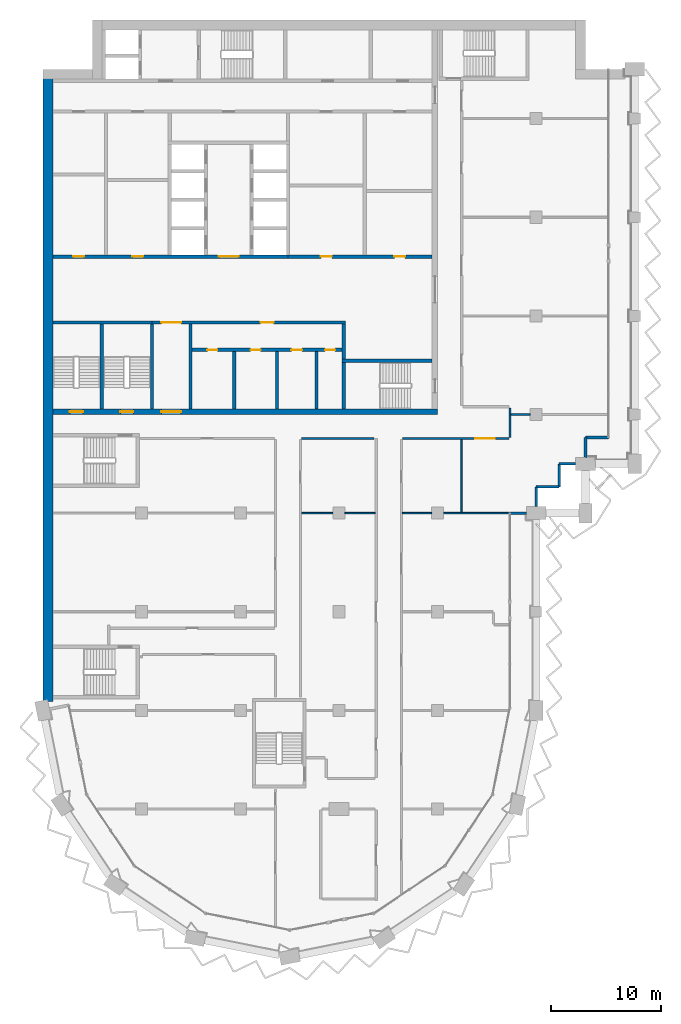
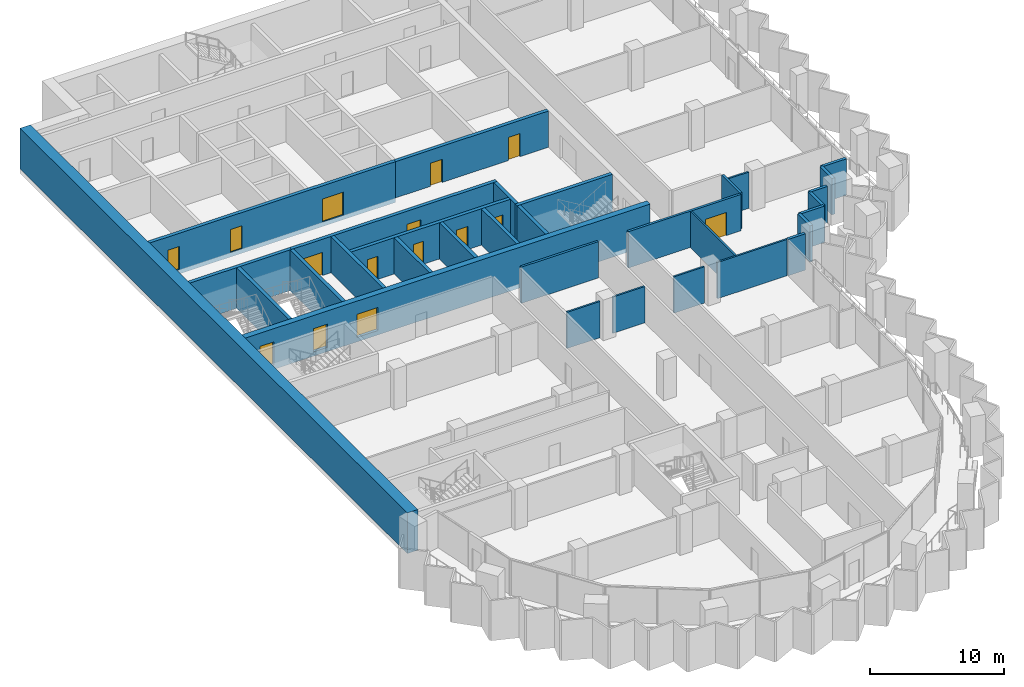
# One storey, part 9 of 17: 32 walls, 15 doors, 15 openings.
"""IFC4 building model written with IfcOpenShell, lengths in metres."""

import ifcopenshell
import ifcopenshell.guid

model = None  # the IFC model being written
_history = None  # IfcOwnerHistory: only IFC2X3 demands one
_inside = {}  # id of a spatial element -> (the spatial element, [elements in it])
_under = {}  # id of a project, library or spatial element -> (it, [spatial elements below it])
_declared = {}  # id of a project -> (the project, [libraries it declares])
_typed = {}  # id of a type object -> (the type object, [elements of that type])
_made_of = {}  # id of a material, layer set ... -> (it, [elements and type objects made of it])


def new_model(schema):
    """Start an empty IFC model of exactly this schema.

    Asked for "IFC4X3", IfcOpenShell would pick the latest addendum, in which some entities
    have other attributes; the version numbers below select the first issue.
    IFC2X3 requires an IfcOwnerHistory on every rooted entity: one is made here for all.
    """
    global model, _history
    if schema == "IFC4X3":
        model = ifcopenshell.file(schema_version=(4, 3, 0, 0))
    else:
        model = ifcopenshell.file(schema=schema)
    _inside.clear()
    _under.clear()
    _declared.clear()
    _typed.clear()
    _made_of.clear()
    _history = None
    if model.schema == "IFC2X3":
        org = make("IfcOrganization", Name="unknown")
        user = make(
            "IfcPersonAndOrganization",
            ThePerson=make("IfcPerson", FamilyName="unknown"),
            TheOrganization=org,
        )
        app = make(
            "IfcApplication",
            ApplicationDeveloper=org,
            Version="unknown",
            ApplicationFullName="unknown",
            ApplicationIdentifier="unknown",
        )
        _history = make(
            "IfcOwnerHistory",
            OwningUser=user,
            OwningApplication=app,
            ChangeAction="ADDED",
            CreationDate=0,
        )
    return model


def make(cls, **values):
    """One entity of the class cls with the attributes given. An attribute that is None is left unset."""
    return model.create_entity(
        cls, **{name: value for name, value in values.items() if value is not None}
    )


def rooted(cls, **values):
    """An entity with a GlobalId (a new one), such as an element, a storey or a relation."""
    return make(cls, GlobalId=ifcopenshell.guid.new(), OwnerHistory=_history, **values)


def si_unit(unit_type, name, prefix=None):
    """IfcSIUnit, for example si_unit("LENGTHUNIT", "METRE", prefix="MILLI")."""
    return make("IfcSIUnit", UnitType=unit_type, Prefix=prefix, Name=name)


def assignment(units):
    """IfcUnitAssignment: the units of a project."""
    return None if units is None else make("IfcUnitAssignment", Units=units)


def point(xyz):
    """IfcCartesianPoint."""
    return None if xyz is None else make("IfcCartesianPoint", Coordinates=xyz)


def direction(xyz):
    """IfcDirection."""
    return None if xyz is None else make("IfcDirection", DirectionRatios=xyz)


def frame(location, z_axis=None, x_axis=None):
    """IfcAxis2Placement3D, a coordinate frame: its origin and axes. An axis left out is left unset."""
    return make(
        "IfcAxis2Placement3D",
        Location=point(location),
        Axis=direction(z_axis),
        RefDirection=direction(x_axis),
    )


def frame_2d(location, x_axis=None):
    """IfcAxis2Placement2D, a coordinate frame in the plane: its origin and x axis."""
    return make(
        "IfcAxis2Placement2D", Location=point(location), RefDirection=direction(x_axis)
    )


def origin():
    """The frame at (0, 0, 0) with its axes left unset."""
    return frame((0.0, 0.0, 0.0))


def place(relative_to, where):
    """IfcLocalPlacement: puts the frame where relative to a parent placement (None: the world)."""
    return make(
        "IfcLocalPlacement", PlacementRelTo=relative_to, RelativePlacement=where
    )


def context(
    kind, dimensions, precision=None, world=None, true_north=None, identifier=None
):
    """IfcGeometricRepresentationContext, for example the 3D "Model" context."""
    return make(
        "IfcGeometricRepresentationContext",
        ContextIdentifier=identifier,
        ContextType=kind,
        CoordinateSpaceDimension=dimensions,
        Precision=precision,
        WorldCoordinateSystem=world,
        TrueNorth=true_north,
    )


def subcontext(parent, identifier, kind, view, scale=None):
    """IfcGeometricRepresentationSubContext, for example "Body" below "Model"."""
    return make(
        "IfcGeometricRepresentationSubContext",
        ContextIdentifier=identifier,
        ContextType=kind,
        ParentContext=parent,
        TargetScale=scale,
        TargetView=view,
    )


def project(units=None, contexts=None):
    """IfcProject with its units and contexts."""
    return rooted(
        "IfcProject",
        Name="project",
        RepresentationContexts=contexts,
        UnitsInContext=assignment(units),
    )


def spatial(cls, under=None, at=None, **own):
    """A site, building, storey or space (cls), placed at a placement, below another one or the project."""
    s = rooted(cls, ObjectPlacement=at, **own)
    if under is not None:
        _under.setdefault(under.id(), (under, []))[1].append(s)
    return s


def profile(cls, at=None, kind="AREA", **sizes):
    """A parametric profile (cls). Its sizes go by their IFC names, for example OverallWidth=200.0."""
    return make(cls, ProfileType=kind, Position=at, **sizes)


def rectangle(**sizes):
    """IfcRectangleProfileDef."""
    return profile("IfcRectangleProfileDef", **sizes)


def extrude(swept, where, along, depth):
    """IfcExtrudedAreaSolid: the profile swept, set in the frame where, extruded along a direction by depth."""
    return make(
        "IfcExtrudedAreaSolid",
        SweptArea=swept,
        Position=where,
        ExtrudedDirection=direction(along),
        Depth=depth,
    )


def shape(context_of_items, identifier, shape_type, items):
    """IfcShapeRepresentation: the items that make up one representation, for example the "Body"."""
    return make(
        "IfcShapeRepresentation",
        ContextOfItems=context_of_items,
        RepresentationIdentifier=identifier,
        RepresentationType=shape_type,
        Items=items,
    )


def material(Name=None, Category=None):
    """IfcMaterial."""
    return make("IfcMaterial", Name=Name, Category=Category)


def layer(
    of_material, thickness, ventilated=None, Name=None, Category=None, Priority=None
):
    """IfcMaterialLayer: one layer of a wall or slab, of a material (None: an air gap)."""
    return make(
        "IfcMaterialLayer",
        Material=of_material,
        LayerThickness=thickness,
        IsVentilated=ventilated,
        Name=Name,
        Category=Category,
        Priority=Priority,
    )


def layer_set(layers, Name=None):
    """IfcMaterialLayerSet."""
    return make("IfcMaterialLayerSet", MaterialLayers=layers, LayerSetName=Name)


def made_of(thing, what):
    """Note that an element or type object is made of a material, layer set ...; save() writes the relation."""
    if what is not None:
        _made_of.setdefault(what.id(), (what, []))[1].append(thing)
    return thing


def type_object(cls, material=None, **own):
    """A type object (cls), such as IfcWallType, which elements share."""
    return made_of(rooted(cls, **own), material)


def element(
    cls,
    number,
    at=None,
    inside=None,
    cuts=None,
    type_object=None,
    material=None,
    context=None,
    identifier="Body",
    shape_type=None,
    held_by="IfcProductDefinitionShape",
    body=None,
    shapes=None,
    **own,
):
    """One element of the class cls, such as IfcWall. Its Tag is "e" and its number.

    at: its placement. inside: the storey or other place that contains it. cuts: it is an
    opening in that element (IfcRelVoidsElement). A single representation is given by context,
    identifier, shape_type and body (its items); several are given by shapes. held_by: the class
    of the entity that holds the representations. save() writes the other relations.
    """
    e = rooted(cls, Tag="e%d" % number, ObjectPlacement=at, **own)
    if body is not None:
        shapes = [shape(context, identifier, shape_type, body)]
    if shapes is not None:
        e.Representation = make(held_by, Representations=shapes)
    if inside is not None:
        _inside.setdefault(inside.id(), (inside, []))[1].append(e)
    if cuts is not None:
        rooted(
            "IfcRelVoidsElement", RelatingBuildingElement=cuts, RelatedOpeningElement=e
        )
    if type_object is not None:
        _typed.setdefault(type_object.id(), (type_object, []))[1].append(e)
    return made_of(e, material)


def fill(opening, filler):
    """IfcRelFillsElement: the door or window that sits in an opening."""
    return rooted(
        "IfcRelFillsElement",
        RelatingOpeningElement=opening,
        RelatedBuildingElement=filler,
    )


def aggregate(whole, parts):
    """IfcRelAggregates: a whole, such as a stair, and the parts it consists of."""
    return rooted("IfcRelAggregates", RelatingObject=whole, RelatedObjects=parts)


def save(model, path):
    """Write the relations noted so far, then the file.

    IfcRelAggregates (storeys below a building ...), IfcRelContainedInSpatialStructure (elements
    in a storey), IfcRelDefinesByType, IfcRelAssociatesMaterial and IfcRelDeclares: one each for
    every whole, place, type object, material and project.
    """
    for whole, parts in _under.values():
        aggregate(whole, parts)
    for where, things in _inside.values():
        rooted(
            "IfcRelContainedInSpatialStructure",
            RelatedElements=things,
            RelatingStructure=where,
        )
    for kind, things in _typed.values():
        rooted("IfcRelDefinesByType", RelatedObjects=things, RelatingType=kind)
    for what, things in _made_of.values():
        rooted("IfcRelAssociatesMaterial", RelatedObjects=things, RelatingMaterial=what)
    for by, libraries in _declared.values():
        rooted("IfcRelDeclares", RelatingContext=by, RelatedDefinitions=libraries)
    model.write(path)


model = new_model("IFC4")

# Units and contexts
model_context = context("Model", 3, precision=1e-05, world=origin(), true_north=direction((0.0, 1.0)))
body_context = subcontext(model_context, "Body", "Model", "MODEL_VIEW")
ifc_project = project(units=[si_unit("LENGTHUNIT", "METRE"), si_unit("AREAUNIT", "SQUARE_METRE"), si_unit("VOLUMEUNIT", "CUBIC_METRE"), si_unit("PLANEANGLEUNIT", "RADIAN"), si_unit("MASSUNIT", "GRAM", prefix="KILO")], contexts=[model_context])

# Site, building, storey
site_placement = place(None, origin())
site = spatial("IfcSite", under=ifc_project, at=site_placement, CompositionType="ELEMENT")
building_placement = place(site_placement, origin())
building = spatial("IfcBuilding", under=site, at=building_placement, Name="Hunhe Ridgeline Campus", CompositionType="ELEMENT")
storey_placement = place(building_placement, frame((0.0, 0.0, 205.0)))
storey = spatial("IfcBuildingStorey", under=building, at=storey_placement, Name="L52", CompositionType="ELEMENT", Elevation=205.0)

# Wall, openings, doors
ifc_material_1 = material(Name="Masonry concrete blockwork", Category="masonry")
ifc_layer_1 = layer(ifc_material_1, 0.300048828125)
ifc_layer_set_1 = layer_set([ifc_layer_1], Name="Core room partition 300 concrete block")
wall_type_1 = type_object("IfcWallType", Name="Core room partition 300 concrete block", PredefinedType="PARTITIONING", material=ifc_layer_set_1)
wall_1_placement = place(storey_placement, frame((13.60009765625, 68.89990234375, 0.0), z_axis=(0.0, 0.0, 1.0), x_axis=(1.0, 0.0, 0.0)))
wall_1 = element("IfcWall", 1, at=wall_1_placement, inside=storey, type_object=wall_type_1, Name="L52 core partition 9", PredefinedType="PARTITIONING", context=body_context, shape_type="SweptSolid", body=[
    extrude(rectangle(XDim=13.699951171875, YDim=0.300048828125, at=frame_2d((6.85009765625, 0.0))), origin(), (0.0, 0.0, 1.0), 3.300048828125),
])
opening_1_placement = place(wall_1_placement, frame((1.39990234375, 0.0, 0.0)))
opening_1 = element("IfcOpeningElement", 2, at=opening_1_placement, cuts=wall_1, Name="Opening CD8", PredefinedType="OPENING", context=body_context, shape_type="SweptSolid", body=[
    extrude(rectangle(XDim=0.89990234375, YDim=2.10009765625, at=frame_2d((0.449951171875, 1.050048828125))), frame((0.0, 0.14990234375, 0.0), z_axis=(0.0, -1.0, 0.0), x_axis=(1.0, 0.0, 0.0)), (0.0, 0.0, 1.0), 0.300048828125),
])
opening_2_placement = place(wall_1_placement, frame((5.35009765625, 0.0, 0.0)))
opening_2 = element("IfcOpeningElement", 3, at=opening_2_placement, cuts=wall_1, Name="Opening CD9", PredefinedType="OPENING", context=body_context, shape_type="SweptSolid", body=[
    extrude(rectangle(XDim=0.89990234375, YDim=2.10009765625, at=frame_2d((0.449951171875, 1.050048828125))), frame((0.0, 0.14990234375, 0.0), z_axis=(0.0, -1.0, 0.0), x_axis=(1.0, 0.0, 0.0)), (0.0, 0.0, 1.0), 0.300048828125),
])
opening_3_placement = place(wall_1_placement, frame((9.050048828125, 0.0, 0.0)))
opening_3 = element("IfcOpeningElement", 4, at=opening_3_placement, cuts=wall_1, Name="Opening CD10", PredefinedType="OPENING", context=body_context, shape_type="SweptSolid", body=[
    extrude(rectangle(XDim=1.0, YDim=2.10009765625, at=frame_2d((0.5, 1.050048828125))), frame((0.0, 0.14990234375, 0.0), z_axis=(0.0, -1.0, 0.0), x_axis=(1.0, 0.0, 0.0)), (0.0, 0.0, 1.0), 0.300048828125),
])
opening_4_placement = place(wall_1_placement, frame((12.14990234375, 0.0, 0.0)))
opening_4 = element("IfcOpeningElement", 5, at=opening_4_placement, cuts=wall_1, Name="Opening CD11", PredefinedType="OPENING", context=body_context, shape_type="SweptSolid", body=[
    extrude(rectangle(XDim=0.89990234375, YDim=2.10009765625, at=frame_2d((0.449951171875, 1.050048828125))), frame((0.0, 0.14990234375, 0.0), z_axis=(0.0, -1.0, 0.0), x_axis=(1.0, 0.0, 0.0)), (0.0, 0.0, 1.0), 0.300048828125),
])
ifc_material_2 = material(Name="Solid core timber door leaf", Category="wood")
door_type_1 = type_object("IfcDoorType", Name="Timber door 1000x2100", OperationType="SINGLE_SWING_LEFT", PredefinedType="DOOR", material=ifc_material_2)
door_1_placement = place(opening_3_placement, frame((1.0, 0.0, 0.0), z_axis=(0.0, 0.0, 1.0), x_axis=(-1.0, 0.0, 0.0)))
door_1 = element("IfcDoor", 6, at=door_1_placement, inside=storey, type_object=door_type_1, Name="L52 door WC3", OperationType="SINGLE_SWING_LEFT", OverallHeight=2.10009765625, OverallWidth=1.0, PredefinedType="DOOR", context=body_context, shape_type="SweptSolid", body=[
    extrude(rectangle(XDim=1.0, YDim=2.10009765625, at=frame_2d((0.5, 1.050048828125))), frame((0.0, 0.02490234375, 0.0), z_axis=(0.0, -1.0, 0.0), x_axis=(1.0, 0.0, 0.0)), (0.0, 0.0, 1.0), 0.050048828125),
])
fill(opening_3, door_1)
door_type_2 = type_object("IfcDoorType", Name="Timber door 900x2100", OperationType="SINGLE_SWING_LEFT", PredefinedType="DOOR", material=ifc_material_2)
door_2_placement = place(opening_1_placement, frame((0.89990234375, 0.0, 0.0), z_axis=(0.0, 0.0, 1.0), x_axis=(-1.0, 0.0, 0.0)))
door_2 = element("IfcDoor", 7, at=door_2_placement, inside=storey, type_object=door_type_2, Name="L52 door WC1", OperationType="SINGLE_SWING_LEFT", OverallHeight=2.10009765625, OverallWidth=0.89990234375, PredefinedType="DOOR", context=body_context, shape_type="SweptSolid", body=[
    extrude(rectangle(XDim=0.89990234375, YDim=2.10009765625, at=frame_2d((0.449951171875, 1.050048828125))), frame((0.0, 0.02490234375, 0.0), z_axis=(0.0, -1.0, 0.0), x_axis=(1.0, 0.0, 0.0)), (0.0, 0.0, 1.0), 0.050048828125),
])
fill(opening_1, door_2)
door_3_placement = place(opening_2_placement, frame((0.89990234375, 0.0, 0.0), z_axis=(0.0, 0.0, 1.0), x_axis=(-1.0, 0.0, 0.0)))
door_3 = element("IfcDoor", 8, at=door_3_placement, inside=storey, type_object=door_type_2, Name="L52 door WC2", OperationType="SINGLE_SWING_RIGHT", OverallHeight=2.10009765625, OverallWidth=0.89990234375, PredefinedType="DOOR", context=body_context, shape_type="SweptSolid", body=[
    extrude(rectangle(XDim=0.89990234375, YDim=2.10009765625, at=frame_2d((0.449951171875, 1.050048828125))), frame((0.0, 0.02490234375, 0.0), z_axis=(0.0, -1.0, 0.0), x_axis=(1.0, 0.0, 0.0)), (0.0, 0.0, 1.0), 0.050048828125),
])
fill(opening_2, door_3)
door_4_placement = place(opening_4_placement, frame((0.89990234375, 0.0, 0.0), z_axis=(0.0, 0.0, 1.0), x_axis=(-1.0, 0.0, 0.0)))
door_4 = element("IfcDoor", 9, at=door_4_placement, inside=storey, type_object=door_type_2, Name="L52 door WC4", OperationType="SINGLE_SWING_RIGHT", OverallHeight=2.10009765625, OverallWidth=0.89990234375, PredefinedType="DOOR", context=body_context, shape_type="SweptSolid", body=[
    extrude(rectangle(XDim=0.89990234375, YDim=2.10009765625, at=frame_2d((0.449951171875, 1.050048828125))), frame((0.0, 0.02490234375, 0.0), z_axis=(0.0, -1.0, 0.0), x_axis=(1.0, 0.0, 0.0)), (0.0, 0.0, 1.0), 0.050048828125),
])
fill(opening_4, door_4)

wall_2_placement = place(storey_placement, frame((9.949951171875, 71.39990234375, 0.0), z_axis=(0.0, 0.0, 1.0), x_axis=(1.0, 0.0, 0.0)))
wall_2 = element("IfcWall", 10, at=wall_2_placement, inside=storey, type_object=wall_type_1, Name="L52 core partition 11", PredefinedType="PARTITIONING", context=body_context, shape_type="SweptSolid", body=[
    extrude(rectangle(XDim=17.650146484375, YDim=0.300048828125, at=frame_2d((8.8251953125, 0.0))), origin(), (0.0, 0.0, 1.0), 3.300048828125),
])
opening_5_placement = place(wall_2_placement, frame((0.85009765625, 0.0, 0.0)))
opening_5 = element("IfcOpeningElement", 11, at=opening_5_placement, cuts=wall_2, Name="Opening CD7", PredefinedType="OPENING", context=body_context, shape_type="SweptSolid", body=[
    extrude(rectangle(XDim=1.800048828125, YDim=2.10009765625, at=frame_2d((0.89990234375, 1.050048828125))), frame((0.0, 0.14990234375, 0.0), z_axis=(0.0, -1.0, 0.0), x_axis=(1.0, 0.0, 0.0)), (0.0, 0.0, 1.0), 0.300048828125),
])
opening_6_placement = place(wall_2_placement, frame((9.89990234375, 0.0, 0.0)))
opening_6 = element("IfcOpeningElement", 12, at=opening_6_placement, cuts=wall_2, Name="Opening CD12", PredefinedType="OPENING", context=body_context, shape_type="SweptSolid", body=[
    extrude(rectangle(XDim=1.199951171875, YDim=2.10009765625, at=frame_2d((0.60009765625, 1.050048828125))), frame((0.0, 0.14990234375, 0.0), z_axis=(0.0, -1.0, 0.0), x_axis=(1.0, 0.0, 0.0)), (0.0, 0.0, 1.0), 0.300048828125),
])
ifc_material_3 = material(Name="Anodised aluminium and glass", Category="aluminium")
door_type_3 = type_object("IfcDoorType", Name="Glazed double door 1800x2100", OperationType="DOUBLE_DOOR_SINGLE_SWING", PredefinedType="DOOR", material=ifc_material_3)
door_5_placement = place(opening_5_placement, origin())
door_5 = element("IfcDoor", 13, at=door_5_placement, inside=storey, type_object=door_type_3, Name="L52 door VEST-HALL", OperationType="DOUBLE_DOOR_SINGLE_SWING", OverallHeight=2.10009765625, OverallWidth=1.800048828125, PredefinedType="DOOR", context=body_context, shape_type="SweptSolid", body=[
    extrude(rectangle(XDim=1.800048828125, YDim=2.10009765625, at=frame_2d((0.89990234375, 1.050048828125))), frame((0.0, 0.02490234375, 0.0), z_axis=(0.0, -1.0, 0.0), x_axis=(1.0, 0.0, 0.0)), (0.0, 0.0, 1.0), 0.050048828125),
])
fill(opening_5, door_5)
door_type_4 = type_object("IfcDoorType", Name="Timber door 1200x2100", OperationType="SINGLE_SWING_LEFT", PredefinedType="DOOR", material=ifc_material_2)
door_6_placement = place(opening_6_placement, origin())
door_6 = element("IfcDoor", 14, at=door_6_placement, inside=storey, type_object=door_type_4, Name="L52 door WCL2-HALL", OperationType="SINGLE_SWING_RIGHT", OverallHeight=2.10009765625, OverallWidth=1.199951171875, PredefinedType="DOOR", context=body_context, shape_type="SweptSolid", body=[
    extrude(rectangle(XDim=1.199951171875, YDim=2.10009765625, at=frame_2d((0.60009765625, 1.050048828125))), frame((0.0, 0.02490234375, 0.0), z_axis=(0.0, -1.0, 0.0), x_axis=(1.0, 0.0, 0.0)), (0.0, 0.0, 1.0), 0.050048828125),
])
fill(opening_6, door_6)

wall_3_placement = place(storey_placement, frame((22.35009765625, 77.39990234375, 0.0), z_axis=(0.0, 0.0, 1.0), x_axis=(1.0, 0.0, 0.0)))
wall_3 = element("IfcWall", 15, at=wall_3_placement, inside=storey, type_object=wall_type_1, Name="L52 core partition 13", PredefinedType="PARTITIONING", context=body_context, shape_type="SweptSolid", body=[
    extrude(rectangle(XDim=13.14990234375, YDim=0.300048828125, at=frame_2d((6.574951171875, 0.0))), origin(), (0.0, 0.0, 1.0), 3.300048828125),
])
opening_7_placement = place(wall_3_placement, frame((3.0, 0.0, 0.0)))
opening_7 = element("IfcOpeningElement", 16, at=opening_7_placement, cuts=wall_3, Name="Opening CD32", PredefinedType="OPENING", context=body_context, shape_type="SweptSolid", body=[
    extrude(rectangle(XDim=1.0, YDim=2.10009765625, at=frame_2d((0.5, 1.050048828125))), frame((0.0, 0.14990234375, 0.0), z_axis=(0.0, -1.0, 0.0), x_axis=(1.0, 0.0, 0.0)), (0.0, 0.0, 1.0), 0.300048828125),
])
opening_8_placement = place(wall_3_placement, frame((9.699951171875, 0.0, 0.0)))
opening_8 = element("IfcOpeningElement", 17, at=opening_8_placement, cuts=wall_3, Name="Opening CD42", PredefinedType="OPENING", context=body_context, shape_type="SweptSolid", body=[
    extrude(rectangle(XDim=1.0, YDim=2.10009765625, at=frame_2d((0.5, 1.050048828125))), frame((0.0, 0.14990234375, 0.0), z_axis=(0.0, -1.0, 0.0), x_axis=(1.0, 0.0, 0.0)), (0.0, 0.0, 1.0), 0.300048828125),
])
door_7_placement = place(opening_7_placement, origin())
door_7 = element("IfcDoor", 18, at=door_7_placement, inside=storey, type_object=door_type_1, Name="L52 door ES0", OperationType="SINGLE_SWING_RIGHT", OverallHeight=2.10009765625, OverallWidth=1.0, PredefinedType="DOOR", context=body_context, shape_type="SweptSolid", body=[
    extrude(rectangle(XDim=1.0, YDim=2.10009765625, at=frame_2d((0.5, 1.050048828125))), frame((0.0, 0.02490234375, 0.0), z_axis=(0.0, -1.0, 0.0), x_axis=(1.0, 0.0, 0.0)), (0.0, 0.0, 1.0), 0.050048828125),
])
fill(opening_7, door_7)
door_8_placement = place(opening_8_placement, origin())
door_8 = element("IfcDoor", 19, at=door_8_placement, inside=storey, type_object=door_type_1, Name="L52 door ES2", OperationType="SINGLE_SWING_RIGHT", OverallHeight=2.10009765625, OverallWidth=1.0, PredefinedType="DOOR", context=body_context, shape_type="SweptSolid", body=[
    extrude(rectangle(XDim=1.0, YDim=2.10009765625, at=frame_2d((0.5, 1.050048828125))), frame((0.0, 0.02490234375, 0.0), z_axis=(0.0, -1.0, 0.0), x_axis=(1.0, 0.0, 0.0)), (0.0, 0.0, 1.0), 0.050048828125),
])
fill(opening_8, door_8)

# Walls
wall_4_placement = place(storey_placement, frame((13.449951171875, 63.5, 0.0), z_axis=(0.0, 0.0, 1.0), x_axis=(0.0, 1.0, 0.0)))
element("IfcWall", 20, at=wall_4_placement, inside=storey, type_object=wall_type_1, Name="L52 core partition 38", PredefinedType="PARTITIONING", context=body_context, shape_type="SweptSolid", body=[
    extrude(rectangle(XDim=7.75, YDim=0.300048828125, at=frame_2d((3.875, 0.0))), origin(), (0.0, 0.0, 1.0), 3.300048828125),
])
for number, where, z_axis, x_axis, name in (
    (21, (17.449951171875, 63.5, 0.0), (0.0, 0.0, 1.0), (0.0, 1.0, 0.0), "L52 core partition 41"),
    (22, (21.35009765625, 63.5, 0.0), (0.0, 0.0, 1.0), (0.0, 1.0, 0.0), "L52 core partition 44"),
    (23, (24.949951171875, 63.5, 0.0), (0.0, 0.0, 1.0), (0.0, 1.0, 0.0), "L52 core partition 49"),
):
    element("IfcWall", number, at=place(storey_placement, frame(where, z_axis=z_axis, x_axis=x_axis)), inside=storey, type_object=wall_type_1, Name=name, PredefinedType="PARTITIONING", context=body_context, shape_type="SweptSolid", body=[
        extrude(rectangle(XDim=5.25, YDim=0.300048828125, at=frame_2d((2.625, 0.0))), origin(), (0.0, 0.0, 1.0), 3.300048828125),
    ])
wall_5_placement = place(storey_placement, frame((27.449951171875, 68.050048828125, 0.0), z_axis=(0.0, 0.0, 1.0), x_axis=(0.0, 1.0, 0.0)))
element("IfcWall", 24, at=wall_5_placement, inside=storey, type_object=wall_type_1, Name="L52 core partition 51", PredefinedType="PARTITIONING", context=body_context, shape_type="SweptSolid", body=[
    extrude(rectangle(XDim=3.199951171875, YDim=0.300048828125, at=frame_2d((1.60009765625, 0.0))), origin(), (0.0, 0.0, 1.0), 3.300048828125),
])

# Wall, openings, doors
ifc_material_4 = material(Name="Concrete C60", Category="concrete")
ifc_layer_2 = layer(ifc_material_4, 0.5)
ifc_layer_set_2 = layer_set([ifc_layer_2], Name="Core wall 500 reinforced concrete C60")
wall_type_2 = type_object("IfcWallType", Name="Core wall 500 reinforced concrete C60", PredefinedType="SOLIDWALL", material=ifc_layer_set_2)
wall_6_placement = place(storey_placement, frame((0.89990234375, 63.25, -0.39990234375), z_axis=(0.0, 0.0, 1.0), x_axis=(1.0, 0.0, 0.0)))
wall_6 = element("IfcWall", 25, at=wall_6_placement, inside=storey, type_object=wall_type_2, Name="L52 core wall 7", PredefinedType="SOLIDWALL", context=body_context, shape_type="SweptSolid", body=[
    extrude(rectangle(XDim=35.10009765625, YDim=0.5, at=frame_2d((17.550048828125, 0.0))), origin(), (0.0, 0.0, 1.0), 3.699951171875),
])
opening_9_placement = place(wall_6_placement, frame((9.89990234375, 0.0, 0.39990234375)))
opening_9 = element("IfcOpeningElement", 26, at=opening_9_placement, cuts=wall_6, Name="Opening CD6", PredefinedType="OPENING", context=body_context, shape_type="SweptSolid", body=[
    extrude(rectangle(XDim=1.800048828125, YDim=2.10009765625, at=frame_2d((0.89990234375, 1.050048828125))), frame((0.0, 0.25, 0.0), z_axis=(0.0, -1.0, 0.0), x_axis=(1.0, 0.0, 0.0)), (0.0, 0.0, 1.0), 0.5),
])
opening_10_placement = place(wall_6_placement, frame((1.550048828125, 0.0, 0.39990234375)))
opening_10 = element("IfcOpeningElement", 27, at=opening_10_placement, cuts=wall_6, Name="Opening CD13", PredefinedType="OPENING", context=body_context, shape_type="SweptSolid", body=[
    extrude(rectangle(XDim=1.199951171875, YDim=2.10009765625, at=frame_2d((0.60009765625, 1.050048828125))), frame((0.0, 0.25, 0.0), z_axis=(0.0, -1.0, 0.0), x_axis=(1.0, 0.0, 0.0)), (0.0, 0.0, 1.0), 0.5),
])
opening_11_placement = place(wall_6_placement, frame((6.14990234375, 0.0, 0.39990234375)))
opening_11 = element("IfcOpeningElement", 28, at=opening_11_placement, cuts=wall_6, Name="Opening CD14", PredefinedType="OPENING", context=body_context, shape_type="SweptSolid", body=[
    extrude(rectangle(XDim=1.199951171875, YDim=2.10009765625, at=frame_2d((0.60009765625, 1.050048828125))), frame((0.0, 0.25, 0.0), z_axis=(0.0, -1.0, 0.0), x_axis=(1.0, 0.0, 0.0)), (0.0, 0.0, 1.0), 0.5),
])
door_9_placement = place(opening_9_placement, frame((1.800048828125, 0.0, 0.0), z_axis=(0.0, 0.0, 1.0), x_axis=(-1.0, 0.0, 0.0)))
door_9 = element("IfcDoor", 29, at=door_9_placement, inside=storey, type_object=door_type_3, Name="L52 door VEST-FLOOR", OperationType="DOUBLE_DOOR_SINGLE_SWING", OverallHeight=2.10009765625, OverallWidth=1.800048828125, PredefinedType="DOOR", context=body_context, shape_type="SweptSolid", body=[
    extrude(rectangle(XDim=1.800048828125, YDim=2.10009765625, at=frame_2d((0.89990234375, 1.050048828125))), frame((0.0, 0.02490234375, 0.0), z_axis=(0.0, -1.0, 0.0), x_axis=(1.0, 0.0, 0.0)), (0.0, 0.0, 1.0), 0.050048828125),
])
fill(opening_9, door_9)
ifc_material_5 = material(Name="Hollow metal fire door leaf")
door_type_5 = type_object("IfcDoorType", Name="Stair door 1200x2100 FD60", OperationType="SINGLE_SWING_LEFT", PredefinedType="DOOR", material=ifc_material_5)
door_10_placement = place(opening_10_placement, frame((1.199951171875, 0.0, 0.0), z_axis=(0.0, 0.0, 1.0), x_axis=(-1.0, 0.0, 0.0)))
door_10 = element("IfcDoor", 30, at=door_10_placement, inside=storey, type_object=door_type_5, Name="L52 door S3", OperationType="SINGLE_SWING_LEFT", OverallHeight=2.10009765625, OverallWidth=1.199951171875, PredefinedType="DOOR", context=body_context, shape_type="SweptSolid", body=[
    extrude(rectangle(XDim=1.199951171875, YDim=2.10009765625, at=frame_2d((0.60009765625, 1.050048828125))), frame((0.0, 0.02490234375, 0.0), z_axis=(0.0, -1.0, 0.0), x_axis=(1.0, 0.0, 0.0)), (0.0, 0.0, 1.0), 0.050048828125),
])
fill(opening_10, door_10)
door_11_placement = place(opening_11_placement, frame((1.199951171875, 0.0, 0.0), z_axis=(0.0, 0.0, 1.0), x_axis=(-1.0, 0.0, 0.0)))
door_11 = element("IfcDoor", 31, at=door_11_placement, inside=storey, type_object=door_type_5, Name="L52 door S4", OperationType="SINGLE_SWING_RIGHT", OverallHeight=2.10009765625, OverallWidth=1.199951171875, PredefinedType="DOOR", context=body_context, shape_type="SweptSolid", body=[
    extrude(rectangle(XDim=1.199951171875, YDim=2.10009765625, at=frame_2d((0.60009765625, 1.050048828125))), frame((0.0, 0.02490234375, 0.0), z_axis=(0.0, -1.0, 0.0), x_axis=(1.0, 0.0, 0.0)), (0.0, 0.0, 1.0), 0.050048828125),
])
fill(opening_11, door_11)

# Walls
ifc_material_6 = material(Name="Concrete C30", Category="concrete")
ifc_layer_3 = layer(ifc_material_6, 0.25)
ifc_layer_set_3 = layer_set([ifc_layer_3], Name="Corner return wall 250 Concrete C30")
wall_type_3 = type_object("IfcWallType", Name="Corner return wall 250 Concrete C30", PredefinedType="SOLIDWALL", material=ifc_layer_set_3)
wall_7_placement = place(storey_placement, frame((42.59912109375, 54.00048828125, 0.0), z_axis=(0.0, 0.0, 1.0), x_axis=(0.999999986772, 0.00016265452, 0.0)))
element("IfcWall", 32, at=wall_7_placement, inside=storey, type_object=wall_type_3, Name="Corner return wall 2", PredefinedType="SOLIDWALL", context=body_context, shape_type="SweptSolid", body=[
    extrude(rectangle(XDim=1.5009765625, YDim=0.25, at=frame_2d((0.75048828125, 0.0))), origin(), (0.0, 0.0, 1.0), 3.300048828125),
])
wall_8_placement = place(storey_placement, frame((44.9990234375, 54.60009765625, 0.0), z_axis=(0.0, 0.0, 1.0), x_axis=(0.000135593219, 0.999999990807, 0.0)))
element("IfcWall", 33, at=wall_8_placement, inside=storey, type_object=wall_type_3, Name="Corner return wall 3", PredefinedType="SOLIDWALL", context=body_context, shape_type="SweptSolid", body=[
    extrude(rectangle(XDim=1.800537109375, YDim=0.25, at=frame_2d((0.900390625, 0.0))), origin(), (0.0, 0.0, 1.0), 3.300048828125),
])
wall_9_placement = place(storey_placement, frame((44.999267578125, 56.400634765625, 0.0), z_axis=(0.0, 0.0, 1.0), x_axis=(0.999999993241, 0.00011626555, 0.0)))
element("IfcWall", 34, at=wall_9_placement, inside=storey, type_object=wall_type_3, Name="Corner return wall 4", PredefinedType="SOLIDWALL", context=body_context, shape_type="SweptSolid", body=[
    extrude(rectangle(XDim=2.099853515625, YDim=0.25, at=frame_2d((1.0498046875, 0.0))), origin(), (0.0, 0.0, 1.0), 3.300048828125),
])
wall_10_placement = place(storey_placement, frame((47.09912109375, 56.40087890625, 0.0), z_axis=(0.0, 0.0, 1.0), x_axis=(0.000232504063, 0.999999972971, 0.0)))
element("IfcWall", 35, at=wall_10_placement, inside=storey, type_object=wall_type_3, Name="Corner return wall 5", PredefinedType="SOLIDWALL", context=body_context, shape_type="SweptSolid", body=[
    extrude(rectangle(XDim=2.10009765625, YDim=0.25, at=frame_2d((1.050048828125, 0.0))), origin(), (0.0, 0.0, 1.0), 3.300048828125),
])
wall_11_placement = place(storey_placement, frame((47.099609375, 58.5009765625, 0.0), z_axis=(0.0, 0.0, 1.0), x_axis=(1.0, 0.0, 0.0)))
element("IfcWall", 36, at=wall_11_placement, inside=storey, type_object=wall_type_3, Name="Corner return wall 6", PredefinedType="SOLIDWALL", context=body_context, shape_type="SweptSolid", body=[
    extrude(rectangle(XDim=1.50048828125, YDim=0.25, at=frame_2d((0.750244140625, 0.0))), origin(), (0.0, 0.0, 1.0), 3.300048828125),
])
wall_12_placement = place(storey_placement, frame((49.4990234375, 59.10009765625, 0.0), z_axis=(0.0, 0.0, 1.0), x_axis=(0.000271149665, 0.999999963239, 0.0)))
element("IfcWall", 37, at=wall_12_placement, inside=storey, type_object=wall_type_3, Name="Corner return wall 7", PredefinedType="SOLIDWALL", context=body_context, shape_type="SweptSolid", body=[
    extrude(rectangle(XDim=1.80078125, YDim=0.25, at=frame_2d((0.900390625, 0.0))), origin(), (0.0, 0.0, 1.0), 3.300048828125),
])
wall_13_placement = place(storey_placement, frame((49.49951171875, 60.90087890625, 0.0), z_axis=(0.0, 0.0, 1.0), x_axis=(1.0, 0.0, 0.0)))
element("IfcWall", 38, at=wall_13_placement, inside=storey, type_object=wall_type_3, Name="Corner return wall 8", PredefinedType="SOLIDWALL", context=body_context, shape_type="SweptSolid", body=[
    extrude(rectangle(XDim=2.099609375, YDim=0.25, at=frame_2d((1.0498046875, 0.0))), origin(), (0.0, 0.0, 1.0), 3.300048828125),
])
ifc_material_7 = material(Name="Gypsum board partition")
ifc_layer_4 = layer(ifc_material_7, 0.199951171875)
ifc_layer_set_4 = layer_set([ifc_layer_4], Name="Corridor partition 200 gypsum board on steel studs")
wall_type_4 = type_object("IfcWallType", Name="Corridor partition 200 gypsum board on steel studs", PredefinedType="PARTITIONING", material=ifc_layer_set_4)
wall_14_placement = place(storey_placement, frame((30.211669921875, 60.800048828125, 0.0), z_axis=(0.0, 0.0, 1.0), x_axis=(-1.0, 0.0, 0.0)))
element("IfcWall", 39, at=wall_14_placement, inside=storey, type_object=wall_type_4, Name="F-L52-wall-034", PredefinedType="PARTITIONING", context=body_context, shape_type="SweptSolid", body=[
    extrude(rectangle(XDim=6.611572265625, YDim=0.199951171875, at=frame_2d((3.3056640625, 0.0))), origin(), (0.0, 0.0, 1.0), 3.300048828125),
])

# Wall, opening, door
wall_15_placement = place(storey_placement, frame((42.5, 60.800048828125, 0.0), z_axis=(0.0, 0.0, 1.0), x_axis=(-1.0, 0.0, 0.0)))
wall_15 = element("IfcWall", 40, at=wall_15_placement, inside=storey, type_object=wall_type_4, Name="F-L52-wall-035", PredefinedType="PARTITIONING", context=body_context, shape_type="SweptSolid", body=[
    extrude(rectangle(XDim=9.699951171875, YDim=0.199951171875, at=frame_2d((4.85009765625, 0.0))), origin(), (0.0, 0.0, 1.0), 3.300048828125),
])
opening_12_placement = place(wall_15_placement, frame((1.269775390625, 0.0, 0.0)))
opening_12 = element("IfcOpeningElement", 41, at=opening_12_placement, cuts=wall_15, Name="Opening RD2-016", PredefinedType="OPENING", context=body_context, shape_type="SweptSolid", body=[
    extrude(rectangle(XDim=1.800048828125, YDim=2.10009765625, at=frame_2d((0.89990234375, 1.050048828125))), frame((0.0, 0.10009765625, 0.0), z_axis=(0.0, -1.0, 0.0), x_axis=(1.0, 0.0, 0.0)), (0.0, 0.0, 1.0), 0.199951171875),
])
ifc_material_8 = material(Name="Timber door leaf", Category="wood")
door_type_6 = type_object("IfcDoorType", Name="Double fire door 1800x2100 timber FD60", OperationType="DOUBLE_DOOR_SINGLE_SWING", PredefinedType="DOOR", material=ifc_material_8)
door_12_placement = place(opening_12_placement, origin())
door_12 = element("IfcDoor", 42, at=door_12_placement, inside=storey, type_object=door_type_6, Name="F-L52-door-016", OperationType="DOUBLE_DOOR_SINGLE_SWING", OverallHeight=2.10009765625, OverallWidth=1.800048828125, PredefinedType="DOOR", context=body_context, shape_type="SweptSolid", body=[
    extrude(rectangle(XDim=1.800048828125, YDim=2.10009765625, at=frame_2d((0.89990234375, 1.050048828125))), frame((0.0, 0.02490234375, 0.0), z_axis=(0.0, -1.0, 0.0), x_axis=(1.0, 0.0, 0.0)), (0.0, 0.0, 1.0), 0.050048828125),
])
fill(opening_12, door_12)

# Walls
wall_16_placement = place(storey_placement, frame((42.60009765625, 63.60009765625, 0.0), z_axis=(0.0, 0.0, 1.0), x_axis=(0.0, -1.0, 0.0)))
element("IfcWall", 43, at=wall_16_placement, inside=storey, type_object=wall_type_4, Name="F-L52-wall-059", PredefinedType="PARTITIONING", context=body_context, shape_type="SweptSolid", body=[
    extrude(rectangle(XDim=2.7001953125, YDim=0.199951171875, at=frame_2d((1.35009765625, 0.0))), origin(), (0.0, 0.0, 1.0), 3.300048828125),
])
ifc_layer_5 = layer(ifc_material_7, 0.14990234375)
ifc_layer_set_5 = layer_set([ifc_layer_5], Name="Room partition 150 gypsum board on steel studs")
wall_type_5 = type_object("IfcWallType", Name="Room partition 150 gypsum board on steel studs", PredefinedType="PARTITIONING", material=ifc_layer_set_5)
wall_17_placement = place(storey_placement, frame((23.60009765625, 54.0, 0.0), z_axis=(0.0, 0.0, 1.0), x_axis=(1.0, 0.0, 0.0)))
element("IfcWall", 44, at=wall_17_placement, inside=storey, type_object=wall_type_5, Name="F-L52-wall-029", PredefinedType="PARTITIONING", context=body_context, shape_type="SweptSolid", body=[
    extrude(rectangle(XDim=2.849853515625, YDim=0.14990234375, at=frame_2d((1.4248046875, 0.0))), origin(), (0.0, 0.0, 1.0), 3.300048828125),
])
wall_18_placement = place(storey_placement, frame((27.550048828125, 54.0, 0.0), z_axis=(0.0, 0.0, 1.0), x_axis=(1.0, 0.0, 0.0)))
element("IfcWall", 45, at=wall_18_placement, inside=storey, type_object=wall_type_5, Name="F-L52-wall-030", PredefinedType="PARTITIONING", context=body_context, shape_type="SweptSolid", body=[
    extrude(rectangle(XDim=2.75, YDim=0.14990234375, at=frame_2d((1.375, 0.0))), origin(), (0.0, 0.0, 1.0), 3.300048828125),
])
wall_19_placement = place(storey_placement, frame((32.800048828125, 54.0, 0.0), z_axis=(0.0, 0.0, 1.0), x_axis=(1.0, 0.0, 0.0)))
element("IfcWall", 46, at=wall_19_placement, inside=storey, type_object=wall_type_5, Name="F-L52-wall-031", PredefinedType="PARTITIONING", context=body_context, shape_type="SweptSolid", body=[
    extrude(rectangle(XDim=2.64990234375, YDim=0.14990234375, at=frame_2d((1.324951171875, 0.0))), origin(), (0.0, 0.0, 1.0), 3.300048828125),
])
wall_20_placement = place(storey_placement, frame((36.550048828125, 54.0, 0.0), z_axis=(0.0, 0.0, 1.0), x_axis=(1.0, 0.0, 0.0)))
element("IfcWall", 47, at=wall_20_placement, inside=storey, type_object=wall_type_5, Name="F-L52-wall-032", PredefinedType="PARTITIONING", context=body_context, shape_type="SweptSolid", body=[
    extrude(rectangle(XDim=5.9951171875, YDim=0.14990234375, at=frame_2d((2.99755859375, 0.0))), origin(), (0.0, 0.0, 1.0), 3.300048828125),
])
wall_21_placement = place(storey_placement, frame((42.699951171875, 63.0, 0.0), z_axis=(0.0, 0.0, 1.0), x_axis=(1.0, 0.0, 0.0)))
element("IfcWall", 48, at=wall_21_placement, inside=storey, type_object=wall_type_5, Name="F-L52-wall-036", PredefinedType="PARTITIONING", context=body_context, shape_type="SweptSolid", body=[
    extrude(rectangle(XDim=1.75, YDim=0.14990234375, at=frame_2d((0.875, 0.0))), origin(), (0.0, 0.0, 1.0), 3.300048828125),
])
wall_22_placement = place(storey_placement, frame((38.199951171875, 60.699951171875, 0.0), z_axis=(0.0, 0.0, 1.0), x_axis=(0.0, -1.0, 0.0)))
element("IfcWall", 49, at=wall_22_placement, inside=storey, type_object=wall_type_5, Name="F-L52-wall-056", PredefinedType="PARTITIONING", context=body_context, shape_type="SweptSolid", body=[
    extrude(rectangle(XDim=6.625, YDim=0.14990234375, at=frame_2d((3.3125, 0.0))), origin(), (0.0, 0.0, 1.0), 3.300048828125),
])

# Wall, openings, doors
ifc_layer_6 = layer(ifc_material_4, 0.300048828125)
ifc_layer_set_6 = layer_set([ifc_layer_6], Name="Shaft wall 300 reinforced concrete C60")
wall_type_6 = type_object("IfcWallType", Name="Shaft wall 300 reinforced concrete C60", PredefinedType="SOLIDWALL", material=ifc_layer_set_6)
wall_23_placement = place(storey_placement, frame((0.89990234375, 77.39990234375, -0.39990234375), z_axis=(0.0, 0.0, 1.0), x_axis=(1.0, 0.0, 0.0)))
wall_23 = element("IfcWall", 50, at=wall_23_placement, inside=storey, type_object=wall_type_6, Name="L52 core wall 12", PredefinedType="SOLIDWALL", context=body_context, shape_type="SweptSolid", body=[
    extrude(rectangle(XDim=21.4501953125, YDim=0.300048828125, at=frame_2d((10.72509765625, 0.0))), origin(), (0.0, 0.0, 1.0), 3.699951171875),
])
opening_13_placement = place(wall_23_placement, frame((15.14990234375, 0.0, 0.39990234375)))
opening_13 = element("IfcOpeningElement", 51, at=opening_13_placement, cuts=wall_23, Name="Opening CD38", PredefinedType="OPENING", context=body_context, shape_type="SweptSolid", body=[
    extrude(rectangle(XDim=1.800048828125, YDim=2.10009765625, at=frame_2d((0.89990234375, 1.050048828125))), frame((0.0, 0.14990234375, 0.0), z_axis=(0.0, -1.0, 0.0), x_axis=(1.0, 0.0, 0.0)), (0.0, 0.0, 1.0), 0.300048828125),
])
opening_14_placement = place(wall_23_placement, frame((1.85009765625, 0.0, 0.39990234375)))
opening_14 = element("IfcOpeningElement", 52, at=opening_14_placement, cuts=wall_23, Name="Opening CD39", PredefinedType="OPENING", context=body_context, shape_type="SweptSolid", body=[
    extrude(rectangle(XDim=1.0, YDim=2.10009765625, at=frame_2d((0.5, 1.050048828125))), frame((0.0, 0.14990234375, 0.0), z_axis=(0.0, -1.0, 0.0), x_axis=(1.0, 0.0, 0.0)), (0.0, 0.0, 1.0), 0.300048828125),
])
opening_15_placement = place(wall_23_placement, frame((7.25, 0.0, 0.39990234375)))
opening_15 = element("IfcOpeningElement", 53, at=opening_15_placement, cuts=wall_23, Name="Opening CD41", PredefinedType="OPENING", context=body_context, shape_type="SweptSolid", body=[
    extrude(rectangle(XDim=1.0, YDim=2.10009765625, at=frame_2d((0.5, 1.050048828125))), frame((0.0, 0.14990234375, 0.0), z_axis=(0.0, -1.0, 0.0), x_axis=(1.0, 0.0, 0.0)), (0.0, 0.0, 1.0), 0.300048828125),
])
door_type_7 = type_object("IfcDoorType", Name="Lobby door 1800x2100 FD60", OperationType="SINGLE_SWING_LEFT", PredefinedType="DOOR", material=ifc_material_5)
door_13_placement = place(opening_13_placement, frame((1.800048828125, 0.0, 0.0), z_axis=(0.0, 0.0, 1.0), x_axis=(-1.0, 0.0, 0.0)))
door_13 = element("IfcDoor", 54, at=door_13_placement, inside=storey, type_object=door_type_7, Name="L52 door LOB-HR", OperationType="SINGLE_SWING_RIGHT", OverallHeight=2.10009765625, OverallWidth=1.800048828125, PredefinedType="DOOR", context=body_context, shape_type="SweptSolid", body=[
    extrude(rectangle(XDim=1.800048828125, YDim=2.10009765625, at=frame_2d((0.89990234375, 1.050048828125))), frame((0.0, 0.02490234375, 0.0), z_axis=(0.0, -1.0, 0.0), x_axis=(1.0, 0.0, 0.0)), (0.0, 0.0, 1.0), 0.050048828125),
])
fill(opening_13, door_13)
door_14_placement = place(opening_14_placement, origin())
door_14 = element("IfcDoor", 55, at=door_14_placement, inside=storey, type_object=door_type_1, Name="L52 door VD-LR0", OperationType="SINGLE_SWING_LEFT", OverallHeight=2.10009765625, OverallWidth=1.0, PredefinedType="DOOR", context=body_context, shape_type="SweptSolid", body=[
    extrude(rectangle(XDim=1.0, YDim=2.10009765625, at=frame_2d((0.5, 1.050048828125))), frame((0.0, 0.02490234375, 0.0), z_axis=(0.0, -1.0, 0.0), x_axis=(1.0, 0.0, 0.0)), (0.0, 0.0, 1.0), 0.050048828125),
])
fill(opening_14, door_14)
door_15_placement = place(opening_15_placement, origin())
door_15 = element("IfcDoor", 56, at=door_15_placement, inside=storey, type_object=door_type_1, Name="L52 door VD-LR2", OperationType="SINGLE_SWING_LEFT", OverallHeight=2.10009765625, OverallWidth=1.0, PredefinedType="DOOR", context=body_context, shape_type="SweptSolid", body=[
    extrude(rectangle(XDim=1.0, YDim=2.10009765625, at=frame_2d((0.5, 1.050048828125))), frame((0.0, 0.02490234375, 0.0), z_axis=(0.0, -1.0, 0.0), x_axis=(1.0, 0.0, 0.0)), (0.0, 0.0, 1.0), 0.050048828125),
])
fill(opening_15, door_15)

# Walls
ifc_layer_7 = layer(ifc_material_4, 0.89990234375)
ifc_layer_set_7 = layer_set([ifc_layer_7], Name="Spine wall 900 Concrete C60")
wall_type_7 = type_object("IfcWallType", Name="Spine wall 900 Concrete C60", PredefinedType="SHEAR", material=ifc_layer_set_7)
wall_24_placement = place(storey_placement, frame((0.449951171875, 94.5, 0.0), z_axis=(0.0, 0.0, 1.0), x_axis=(0.0, -1.0, 0.0)))
element("IfcWall", 57, at=wall_24_placement, inside=storey, type_object=wall_type_7, Name="Spine wall SW3-1 L52", PredefinedType="SHEAR", context=body_context, shape_type="SweptSolid", body=[
    extrude(rectangle(XDim=57.686767578125, YDim=0.89990234375, at=frame_2d((28.84326171875, 0.0))), origin(), (0.0, 0.0, 1.0), 3.699951171875),
])
ifc_layer_8 = layer(ifc_material_4, 0.300048828125)
ifc_layer_set_8 = layer_set([ifc_layer_8], Name="Stair wall 300 reinforced concrete C60")
wall_type_8 = type_object("IfcWallType", Name="Stair wall 300 reinforced concrete C60", PredefinedType="SOLIDWALL", material=ifc_layer_set_8)
wall_25_placement = place(storey_placement, frame((27.300048828125, 67.89990234375, -0.39990234375), z_axis=(0.0, 0.0, 1.0), x_axis=(1.0, 0.0, 0.0)))
element("IfcWall", 58, at=wall_25_placement, inside=storey, type_object=wall_type_8, Name="L52 core wall 8", PredefinedType="SOLIDWALL", context=body_context, shape_type="SweptSolid", body=[
    extrude(rectangle(XDim=8.199951171875, YDim=0.300048828125, at=frame_2d((4.10009765625, 0.0))), origin(), (0.0, 0.0, 1.0), 3.699951171875),
])
wall_26_placement = place(storey_placement, frame((0.89990234375, 71.39990234375, -0.39990234375), z_axis=(0.0, 0.0, 1.0), x_axis=(1.0, 0.0, 0.0)))
element("IfcWall", 59, at=wall_26_placement, inside=storey, type_object=wall_type_8, Name="L52 core wall 10", PredefinedType="SOLIDWALL", context=body_context, shape_type="SweptSolid", body=[
    extrude(rectangle(XDim=9.050048828125, YDim=0.300048828125, at=frame_2d((4.52490234375, 0.0))), origin(), (0.0, 0.0, 1.0), 3.699951171875),
])
for number, where, z_axis, x_axis, name in (
    (60, (5.35009765625, 63.5, -0.39990234375), (0.0, 0.0, 1.0), (0.0, 1.0, 0.0), "L52 core wall 29"),
    (61, (9.949951171875, 63.5, -0.39990234375), (0.0, 0.0, 1.0), (0.0, 1.0, 0.0), "L52 core wall 35"),
):
    element("IfcWall", number, at=place(storey_placement, frame(where, z_axis=z_axis, x_axis=x_axis)), inside=storey, type_object=wall_type_8, Name=name, PredefinedType="SOLIDWALL", context=body_context, shape_type="SweptSolid", body=[
        extrude(rectangle(XDim=7.75, YDim=0.300048828125, at=frame_2d((3.875, 0.0))), origin(), (0.0, 0.0, 1.0), 3.699951171875),
    ])
wall_27_placement = place(storey_placement, frame((27.449951171875, 63.5, -0.39990234375), z_axis=(0.0, 0.0, 1.0), x_axis=(0.0, 1.0, 0.0)))
element("IfcWall", 62, at=wall_27_placement, inside=storey, type_object=wall_type_8, Name="L52 core wall 50", PredefinedType="SOLIDWALL", context=body_context, shape_type="SweptSolid", body=[
    extrude(rectangle(XDim=4.25, YDim=0.300048828125, at=frame_2d((2.125, 0.0))), origin(), (0.0, 0.0, 1.0), 3.699951171875),
])

save(model, "model.ifc")
